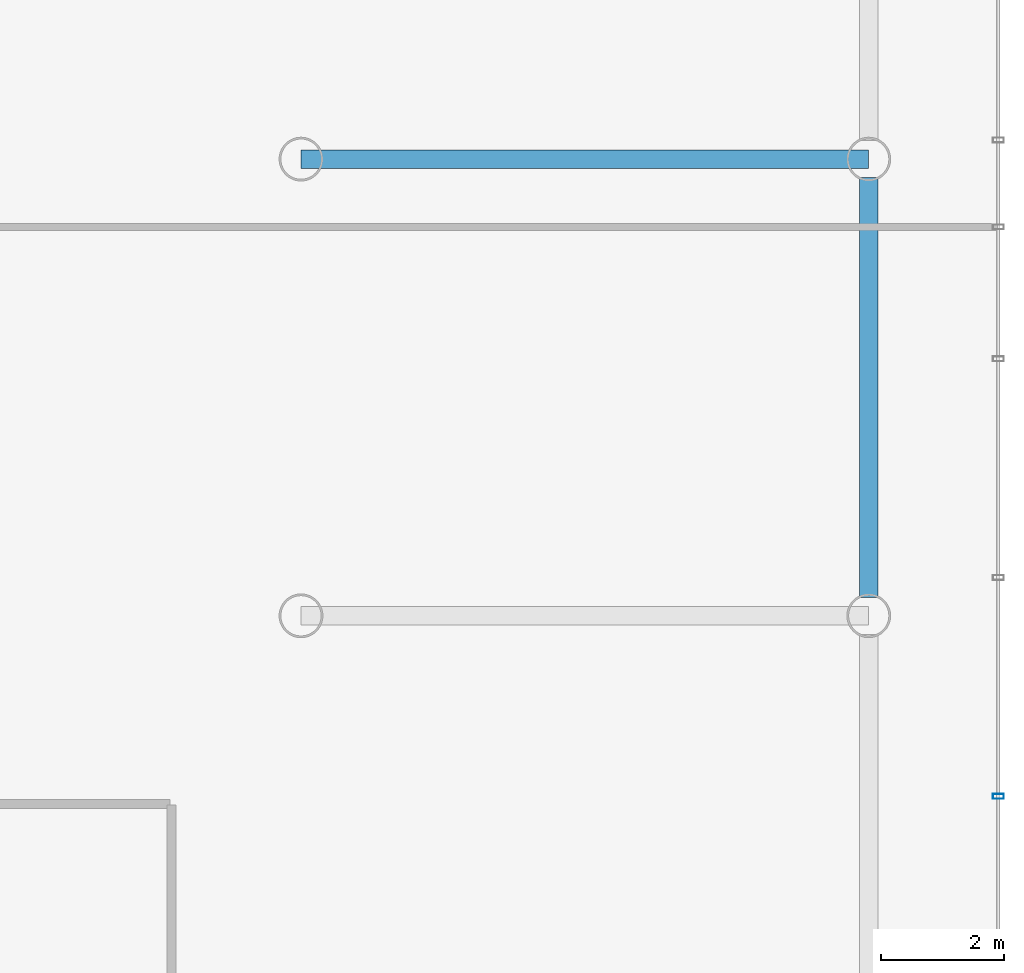
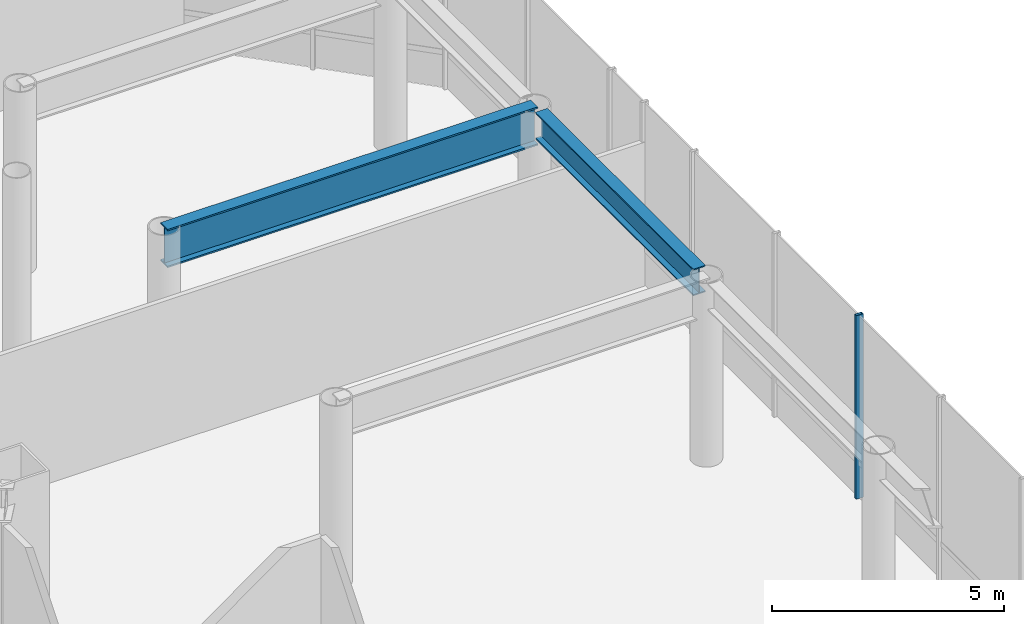
# One storey, part 18 of 31: 2 beams, 1 member, 1 element without a shape of its own.
"""IFC4 building model written with IfcOpenShell, lengths in metres."""

from ifc_helpers import new_model, si_unit, direction, frame, origin, origin_2d, place, context, subcontext, project, spatial, hollow_rectangle, i_section, extrude, material, layer, layer_set, material_profile, profile_set, type_object, element, aggregate, save


model = new_model("IFC4")

# Units and contexts
model_context = context("Model", 3, precision=1e-05, world=origin(), true_north=direction((0.0, 1.0)))
body_context = subcontext(model_context, "Body", "Model", "MODEL_VIEW")
ifc_project = project(units=[si_unit("LENGTHUNIT", "METRE"), si_unit("AREAUNIT", "SQUARE_METRE"), si_unit("VOLUMEUNIT", "CUBIC_METRE"), si_unit("PLANEANGLEUNIT", "RADIAN"), si_unit("MASSUNIT", "GRAM", prefix="KILO")], contexts=[model_context])

# Site, building, storey
site_placement = place(None, origin())
site = spatial("IfcSite", under=ifc_project, at=site_placement, CompositionType="ELEMENT")
building_placement = place(site_placement, origin())
building = spatial("IfcBuilding", under=site, at=building_placement, Name="Zarrinselat Tower", CompositionType="ELEMENT")
storey_placement = place(building_placement, origin())
storey = spatial("IfcBuildingStorey", under=building, at=storey_placement, Name="L00", CompositionType="ELEMENT", Elevation=0.0)

# Beams
ifc_material_1 = material(Name="Steel S355J2", Category="steel")
ifc_material_profile_1 = material_profile(ifc_material_1, i_section(OverallWidth=0.300048828125, OverallDepth=0.699951171875, WebThickness=0.01708984375, FlangeThickness=0.031982421875, at=origin_2d()), Name="HEB 700")
ifc_profile_set_1 = profile_set([ifc_material_profile_1], Name="Steel S355J2")
beam_type_1 = type_object("IfcBeamType", Name="BM-HEB700", PredefinedType="SPANDREL", material=ifc_profile_set_1)
beam_1_placement = place(storey_placement, frame((77.199951171875, 33.5, 4.469970703125), z_axis=(0.0, 1.0, 0.0), x_axis=(-1.0, 0.0, 0.0)))
element("IfcBeam", 1, at=beam_1_placement, inside=storey, type_object=beam_type_1, Name="L00 Podium Perimeter Beam E-33", PredefinedType="SPANDREL", context=body_context, shape_type="SweptSolid", body=[
    extrude(i_section(OverallWidth=0.300048828125, OverallDepth=0.699951171875, WebThickness=0.01708984375, FlangeThickness=0.031982421875, at=origin_2d()), origin(), (0.0, 0.0, 1.0), 6.800048828125),
])
ifc_material_2 = material(Name="Steel S460M", Category="steel")
ifc_material_profile_2 = material_profile(ifc_material_2, i_section(OverallWidth=0.302001953125, OverallDepth=1.008056640625, WebThickness=0.02099609375, FlangeThickness=0.0400390625, at=origin_2d()), Name="HEM 1000")
ifc_profile_set_2 = profile_set([ifc_material_profile_2], Name="Steel S460M")
beam_type_2 = type_object("IfcBeamType", Name="BM-PDTR-HEM1000", PredefinedType="BEAM", material=ifc_profile_set_2)
beam_2_placement = place(storey_placement, frame((68.0, 40.60009765625, 4.31591796875), z_axis=(1.0, 0.0, 0.0), x_axis=(0.0, 1.0, 0.0)))
element("IfcBeam", 2, at=beam_2_placement, inside=storey, type_object=beam_type_2, Name="L00 Podium Transfer Girder E-40", PredefinedType="BEAM", context=body_context, shape_type="SweptSolid", body=[
    extrude(i_section(OverallWidth=0.302001953125, OverallDepth=1.008056640625, WebThickness=0.02099609375, FlangeThickness=0.0400390625, at=origin_2d()), origin(), (0.0, 0.0, 1.0), 9.199951171875),
])

# Curtain wall, member
ifc_material_3 = material(Name="Extruded Aluminium Alloy EN AW-6063 T6", Category="aluminium")
ifc_layer = layer(ifc_material_3, 0.2099609375)
ifc_layer_set = layer_set([ifc_layer], Name="Extruded Aluminium Alloy EN AW-6063 T6")
curtain_wall_type = type_object("IfcCurtainWallType", Name="CWS-POD", PredefinedType="NOTDEFINED", material=ifc_layer_set)
curtain_wall_placement = place(storey_placement, origin())
curtain_wall = element("IfcCurtainWall", 3, at=curtain_wall_placement, inside=storey, type_object=curtain_wall_type, Name="L00 Unitised Curtain Wall CW-L00-E3", PredefinedType="NOTDEFINED")
ifc_material_4 = material(Name="Extruded Aluminium Alloy EN AW-6063 T6", Category="aluminium")
ifc_material_profile_3 = material_profile(ifc_material_4, hollow_rectangle(XDim=0.080078125, YDim=0.179931640625, WallThickness=0.0048828125, at=origin_2d()), Name="RHS 180x80x5")
ifc_profile_set_3 = profile_set([ifc_material_profile_3], Name="Extruded Aluminium Alloy EN AW-6063 T6")
member_type = type_object("IfcMemberType", Name="MEM-CW-MUL", PredefinedType="MULLION", material=ifc_profile_set_3)
member_placement = place(storey_placement, frame((79.300048828125, 30.272705078125, 0.0), z_axis=(0.0, 0.0, 1.0), x_axis=(0.0, 1.0, 0.0)))
member = element("IfcMember", 4, at=member_placement, type_object=member_type, Name="CW-L00-E3 Mullion 6", PredefinedType="MULLION", context=body_context, shape_type="SweptSolid", body=[
    extrude(hollow_rectangle(XDim=0.080078125, YDim=0.179931640625, WallThickness=0.0048828125, at=origin_2d()), origin(), (0.0, 0.0, 1.0), 4.820068359375),
])
aggregate(curtain_wall, [member])

save(model, "model.ifc")
